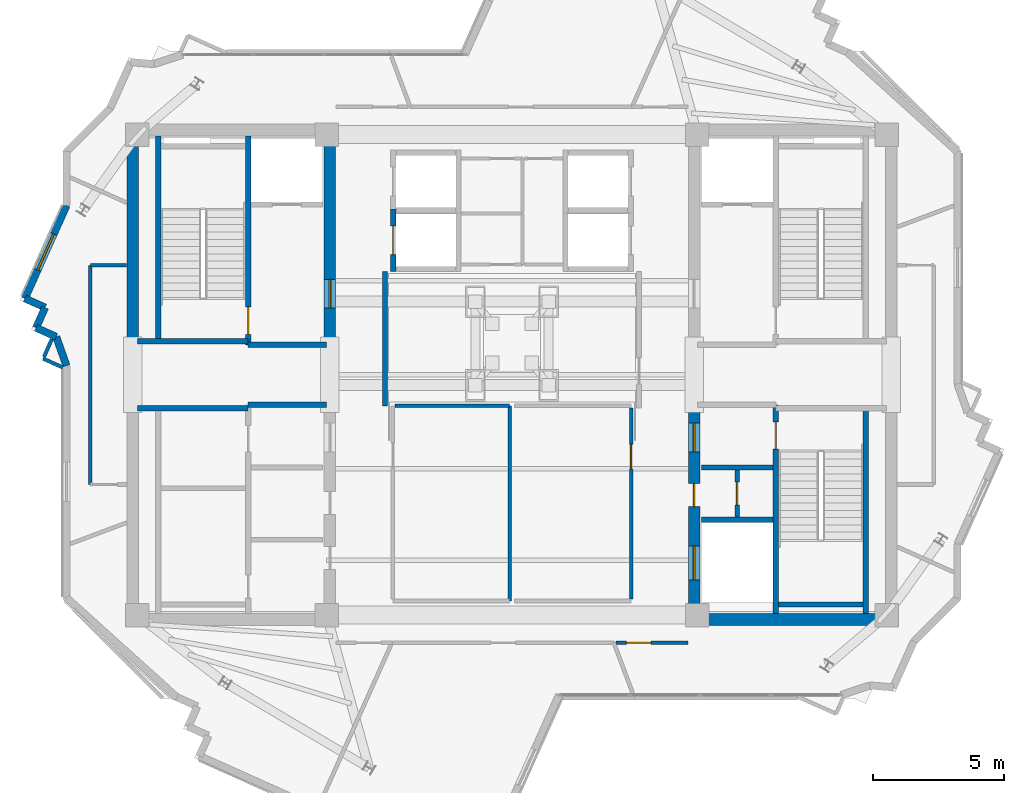
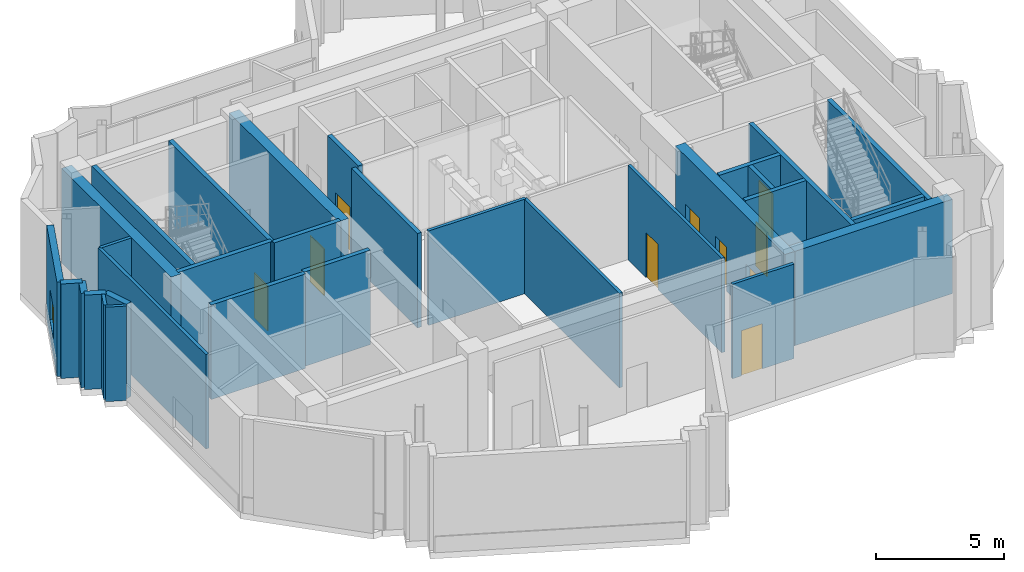
# One storey, part 6 of 11: 31 walls, 10 doors, 1 window, 11 openings.
"""IFC4 building model written with IfcOpenShell, lengths in metres."""

from ifc_helpers import new_model, si_unit, direction, frame, frame_2d, origin, place, context, subcontext, project, spatial, rectangle, extrude, source, transform, mapped, material, layer, layer_set, type_object, element, fill, save


model = new_model("IFC4")

# Units and contexts
model_context = context("Model", 3, precision=1e-05, world=origin(), true_north=direction((0.0, 1.0)))
body_context = subcontext(model_context, "Body", "Model", "MODEL_VIEW")
ifc_project = project(units=[si_unit("LENGTHUNIT", "METRE"), si_unit("AREAUNIT", "SQUARE_METRE"), si_unit("VOLUMEUNIT", "CUBIC_METRE"), si_unit("PLANEANGLEUNIT", "RADIAN"), si_unit("MASSUNIT", "GRAM", prefix="KILO")], contexts=[model_context])

# Site, building, storey
site_placement = place(None, origin())
site = spatial("IfcSite", under=ifc_project, at=site_placement, CompositionType="ELEMENT")
building_placement = place(site_placement, origin())
building = spatial("IfcBuilding", under=site, at=building_placement, Name="Zahravan Cultural Tower", CompositionType="ELEMENT")
storey_placement = place(building_placement, frame((0.0, 0.0, 361.050048828125)))
storey = spatial("IfcBuildingStorey", under=building, at=storey_placement, Name="L88", CompositionType="ELEMENT", Elevation=361.050048828125)

# Wall, opening, door
ifc_material_1 = material(Name="Concrete C50/60", Category="concrete")
ifc_layer_1 = layer(ifc_material_1, 0.449951171875)
ifc_layer_set_1 = layer_set([ifc_layer_1], Name="Concrete C50/60")
wall_type_1 = type_object("IfcWallType", Name="CW-SHEAR-450-C50", PredefinedType="SHEAR", material=ifc_layer_set_1)
wall_1_placement = place(storey_placement, frame((29.02490234375, 28.050048828125, 0.0), z_axis=(0.0, 0.0, 1.0), x_axis=(0.0, 1.0, 0.0)))
wall_1 = element("IfcWall", 1, at=wall_1_placement, inside=storey, type_object=wall_type_1, Name="L88 Core Shear Wall CW-W-EN-L88", PredefinedType="SHEAR", context=body_context, shape_type="SweptSolid", body=[
    extrude(rectangle(XDim=8.550048828125, YDim=0.449951171875, at=frame_2d((4.27490234375, 0.0))), origin(), (0.0, 0.0, 1.0), 4.5),
])
opening_1_placement = place(wall_1_placement, frame((1.5, 0.0, 0.0)))
opening_1 = element("IfcOpeningElement", 2, at=opening_1_placement, cuts=wall_1, Name="Opening D-L88-06", PredefinedType="OPENING", context=body_context, shape_type="SweptSolid", body=[
    extrude(rectangle(XDim=1.10009765625, YDim=2.199951171875, at=frame_2d((0.550048828125, 1.10009765625))), frame((0.0, 0.23486328125, 0.0), z_axis=(0.0, -1.0, 0.0), x_axis=(1.0, 0.0, 0.0)), (0.0, 0.0, 1.0), 0.469970703125),
])
ifc_material_2 = material(Name="Steel ASTM A572 Grade 50", Category="steel")
door_type_1 = type_object("IfcDoorType", Name="DR-LOBBY-1100", OperationType="NOTDEFINED", PredefinedType="DOOR", material=ifc_material_2)
shared_shape_1 = source(origin(), body_context, "Body", "SweptSolid", [
    extrude(rectangle(XDim=1.10009765625, YDim=2.199951171875, at=frame_2d((0.550048828125, 1.10009765625))), frame((0.0, 0.02490234375, 0.0), z_axis=(0.0, -1.0, 0.0), x_axis=(1.0, 0.0, 0.0)), (0.0, 0.0, 1.0), 0.050048828125),
])
door_1_placement = place(opening_1_placement, origin())
door_1 = element("IfcDoor", 3, at=door_1_placement, inside=storey, type_object=door_type_1, Name="L88 Door D-L88-06", OperationType="SINGLE_SWING_RIGHT", OverallHeight=2.199951171875, OverallWidth=1.10009765625, PredefinedType="DOOR", context=body_context, shape_type="MappedRepresentation", body=[
    mapped(shared_shape_1, transform((0.0, 0.0, 0.0), x_axis=(1.0, 0.0, 0.0), y_axis=(0.0, 1.0, 0.0), z_axis=(0.0, 0.0, 1.0), scale=1.0)),
])
fill(opening_1, door_1)

# Wall, openings, doors
wall_2_placement = place(storey_placement, frame((42.97509765625, 17.39990234375, 0.0), z_axis=(0.0, 0.0, 1.0), x_axis=(0.0, 1.0, 0.0)))
wall_2 = element("IfcWall", 4, at=wall_2_placement, inside=storey, type_object=wall_type_1, Name="L88 Core Shear Wall CW-E-WS-L88", PredefinedType="SHEAR", context=body_context, shape_type="SweptSolid", body=[
    extrude(rectangle(XDim=8.550048828125, YDim=0.449951171875, at=frame_2d((4.27490234375, 0.0))), origin(), (0.0, 0.0, 1.0), 4.5),
])
opening_2_placement = place(wall_2_placement, frame((6.64990234375, 0.0, 0.0)))
opening_2 = element("IfcOpeningElement", 5, at=opening_2_placement, cuts=wall_2, Name="Opening D-L88-09", PredefinedType="OPENING", context=body_context, shape_type="SweptSolid", body=[
    extrude(rectangle(XDim=1.10009765625, YDim=2.199951171875, at=frame_2d((0.550048828125, 1.10009765625))), frame((0.0, 0.23486328125, 0.0), z_axis=(0.0, -1.0, 0.0), x_axis=(1.0, 0.0, 0.0)), (0.0, 0.0, 1.0), 0.469970703125),
])
opening_3_placement = place(wall_2_placement, frame((1.75, 0.0, 0.0)))
opening_3 = element("IfcOpeningElement", 6, at=opening_3_placement, cuts=wall_2, Name="Opening LD-L88-03", PredefinedType="OPENING", context=body_context, shape_type="SweptSolid", body=[
    extrude(rectangle(XDim=1.300048828125, YDim=2.199951171875, at=frame_2d((0.64990234375, 1.10009765625))), frame((0.0, 0.23486328125, 0.0), z_axis=(0.0, -1.0, 0.0), x_axis=(1.0, 0.0, 0.0)), (0.0, 0.0, 1.0), 0.469970703125),
])
opening_4_placement = place(wall_2_placement, frame((4.550048828125, 0.0, 0.0)))
opening_4 = element("IfcOpeningElement", 7, at=opening_4_placement, cuts=wall_2, Name="Opening D-L88-12", PredefinedType="OPENING", context=body_context, shape_type="SweptSolid", body=[
    extrude(rectangle(XDim=0.8798828125, YDim=2.10009765625, at=frame_2d((0.43994140625, 1.050048828125))), frame((0.0, 0.23486328125, 0.0), z_axis=(0.0, -1.0, 0.0), x_axis=(1.0, 0.0, 0.0)), (0.0, 0.0, 1.0), 0.469970703125),
])
door_2_placement = place(opening_2_placement, origin())
door_2 = element("IfcDoor", 8, at=door_2_placement, inside=storey, type_object=door_type_1, Name="L88 Door D-L88-09", OperationType="SINGLE_SWING_LEFT", OverallHeight=2.199951171875, OverallWidth=1.10009765625, PredefinedType="DOOR", context=body_context, shape_type="MappedRepresentation", body=[
    mapped(shared_shape_1, transform((0.0, 0.0, 0.0), x_axis=(1.0, 0.0, 0.0), y_axis=(0.0, 1.0, 0.0), z_axis=(0.0, 0.0, 1.0), scale=1.0)),
])
fill(opening_2, door_2)
door_type_2 = type_object("IfcDoorType", Name="DR-LIFT-1300", OperationType="DOUBLE_DOOR_SLIDING", PredefinedType="DOOR", material=ifc_material_2)
shared_shape_2 = source(origin(), body_context, "Body", "SweptSolid", [
    extrude(rectangle(XDim=1.300048828125, YDim=2.199951171875, at=frame_2d((0.64990234375, 1.10009765625))), frame((0.0, 0.02490234375, 0.0), z_axis=(0.0, -1.0, 0.0), x_axis=(1.0, 0.0, 0.0)), (0.0, 0.0, 1.0), 0.050048828125),
])
door_3_placement = place(opening_3_placement, origin())
door_3 = element("IfcDoor", 9, at=door_3_placement, inside=storey, type_object=door_type_2, Name="L88 Door LD-L88-03", OperationType="DOUBLE_DOOR_SLIDING", OverallHeight=2.199951171875, OverallWidth=1.300048828125, PredefinedType="DOOR", context=body_context, shape_type="MappedRepresentation", body=[
    mapped(shared_shape_2, transform((0.0, 0.0, 0.0), x_axis=(1.0, 0.0, 0.0), y_axis=(0.0, 1.0, 0.0), z_axis=(0.0, 0.0, 1.0), scale=1.0)),
])
fill(opening_3, door_3)
door_type_3 = type_object("IfcDoorType", Name="DR-SVC-880", OperationType="NOTDEFINED", PredefinedType="DOOR", material=ifc_material_2)
shared_shape_3 = source(origin(), body_context, "Body", "SweptSolid", [
    extrude(rectangle(XDim=0.8798828125, YDim=2.10009765625, at=frame_2d((0.43994140625, 1.050048828125))), frame((0.0, 0.02490234375, 0.0), z_axis=(0.0, -1.0, 0.0), x_axis=(1.0, 0.0, 0.0)), (0.0, 0.0, 1.0), 0.050048828125),
])
door_4_placement = place(opening_4_placement, origin())
door_4 = element("IfcDoor", 10, at=door_4_placement, inside=storey, type_object=door_type_3, Name="L88 Door D-L88-12", OperationType="SINGLE_SWING_RIGHT", OverallHeight=2.10009765625, OverallWidth=0.8798828125, PredefinedType="DOOR", context=body_context, shape_type="MappedRepresentation", body=[
    mapped(shared_shape_3, transform((0.0, 0.0, 0.0), x_axis=(1.0, 0.0, 0.0), y_axis=(0.0, 1.0, 0.0), z_axis=(0.0, 0.0, 1.0), scale=1.0)),
])
fill(opening_4, door_4)

# Wall, opening, window
ifc_material_3 = material(Name="Precast concrete C40/50", Category="concrete")
ifc_layer_2 = layer(ifc_material_3, 0.280029296875)
ifc_layer_set_2 = layer_set([ifc_layer_2], Name="Precast concrete C40/50")
wall_type_2 = type_object("IfcWallType", Name="EW-TC-280", PredefinedType="SOLIDWALL", material=ifc_layer_set_2)
wall_3_placement = place(storey_placement, frame((17.344482421875, 29.9228515625, 0.0), z_axis=(0.0, 0.0, 1.0), x_axis=(0.408847516138, 0.912602711232, 0.0)))
wall_3 = element("IfcWall", 11, at=wall_3_placement, inside=storey, type_object=wall_type_2, Name="L88 Exterior Masonry Frame Wall 07", PredefinedType="SOLIDWALL", context=body_context, shape_type="SweptSolid", body=[
    extrude(rectangle(XDim=3.90234375, YDim=0.280029296875, at=frame_2d((1.951171875, 0.0))), origin(), (0.0, 0.0, 1.0), 4.5),
])
opening_5_placement = place(wall_3_placement, frame((1.200927734375, 0.0, 0.85009765625)))
opening_5 = element("IfcOpeningElement", 12, at=opening_5_placement, cuts=wall_3, Name="Opening WN-03", PredefinedType="OPENING", context=body_context, shape_type="SweptSolid", body=[
    extrude(rectangle(XDim=1.5, YDim=1.5, at=frame_2d((0.75, 0.75))), frame((0.0, 0.14990234375, 0.0), z_axis=(0.0, -1.0, 0.0), x_axis=(1.0, 0.0, 0.0)), (0.0, 0.0, 1.0), 0.300048828125),
])
ifc_material_4 = material(Name="Low-E solar-control double glazing", Category="glass")
window_type = type_object("IfcWindowType", Name="WN-REC-1500X1500", PartitioningType="SINGLE_PANEL", PredefinedType="WINDOW", material=ifc_material_4)
shared_shape_4 = source(origin(), body_context, "Body", "SweptSolid", [
    extrude(rectangle(XDim=1.5, YDim=1.5, at=frame_2d((0.75, 0.75))), frame((0.0, 0.030029296875, 0.0), z_axis=(0.0, -1.0, 0.0), x_axis=(1.0, 0.0, 0.0)), (0.0, 0.0, 1.0), 0.06005859375),
])
window_placement = place(opening_5_placement, origin())
window = element("IfcWindow", 13, at=window_placement, inside=storey, type_object=window_type, Name="L88 Recessed Solar Window 02", OverallHeight=1.5, OverallWidth=1.5, PartitioningType="SINGLE_PANEL", PredefinedType="WINDOW", context=body_context, shape_type="MappedRepresentation", body=[
    mapped(shared_shape_4, transform((0.0, 0.0, 0.0), x_axis=(1.0, 0.0, 0.0), y_axis=(0.0, 1.0, 0.0), z_axis=(0.0, 0.0, 1.0), scale=1.0)),
])
fill(opening_5, window)

# Wall, opening, door
ifc_material_5 = material(Name="Gypsum plasterboard partition")
ifc_layer_3 = layer(ifc_material_5, 0.179931640625)
ifc_layer_set_3 = layer_set([ifc_layer_3], Name="Gypsum plasterboard partition")
wall_type_3 = type_object("IfcWallType", Name="W-COMP-180", PredefinedType="PARTITIONING", material=ifc_layer_set_3)
wall_4_placement = place(storey_placement, frame((44.6201171875, 21.550048828125, 0.0), z_axis=(0.0, 0.0, 1.0), x_axis=(0.0, 1.0, 0.0)))
wall_4 = element("IfcWall", 14, at=wall_4_placement, inside=storey, type_object=wall_type_3, Name="L88 Interior Wall 028", PredefinedType="PARTITIONING", context=body_context, shape_type="SweptSolid", body=[
    extrude(rectangle(XDim=1.800048828125, YDim=0.179931640625, at=frame_2d((0.89990234375, 0.0))), origin(), (0.0, 0.0, 1.0), 4.5),
])
opening_6_placement = place(wall_4_placement, frame((0.4599609375, 0.0, 0.0)))
opening_6 = element("IfcOpeningElement", 15, at=opening_6_placement, cuts=wall_4, Name="Opening D-L88-13", PredefinedType="OPENING", context=body_context, shape_type="SweptSolid", body=[
    extrude(rectangle(XDim=0.8798828125, YDim=2.10009765625, at=frame_2d((0.43994140625, 1.050048828125))), frame((0.0, 0.099853515625, 0.0), z_axis=(0.0, -1.0, 0.0), x_axis=(1.0, 0.0, 0.0)), (0.0, 0.0, 1.0), 0.199951171875),
])
door_5_placement = place(opening_6_placement, origin())
door_5 = element("IfcDoor", 16, at=door_5_placement, inside=storey, type_object=door_type_3, Name="L88 Door D-L88-13", OperationType="SINGLE_SWING_LEFT", OverallHeight=2.10009765625, OverallWidth=0.8798828125, PredefinedType="DOOR", context=body_context, shape_type="MappedRepresentation", body=[
    mapped(shared_shape_3, transform((0.0, 0.0, 0.0), x_axis=(1.0, 0.0, 0.0), y_axis=(0.0, 1.0, 0.0), z_axis=(0.0, 0.0, 1.0), scale=1.0)),
])
fill(opening_6, door_5)

ifc_layer_4 = layer(ifc_material_5, 0.139892578125)
ifc_layer_set_4 = layer_set([ifc_layer_4], Name="Gypsum plasterboard partition")
wall_type_4 = type_object("IfcWallType", Name="W-PART-140", PredefinedType="PARTITIONING", material=ifc_layer_set_4)
wall_5_placement = place(storey_placement, frame((39.97705078125, 16.739990234375, 0.0), z_axis=(0.0, 0.0, 1.0), x_axis=(0.999999902865, 0.000440761593, 0.0)))
wall_5 = element("IfcWall", 17, at=wall_5_placement, inside=storey, type_object=wall_type_4, Name="L88 Interior Wall 070", PredefinedType="PARTITIONING", context=body_context, shape_type="SweptSolid", body=[
    extrude(rectangle(XDim=2.76953125, YDim=0.139892578125, at=frame_2d((1.384765625, 0.0))), origin(), (0.0, 0.0, 1.0), 4.5),
])
opening_7_placement = place(wall_5_placement, frame((0.400390625, 0.0, 0.0)))
opening_7 = element("IfcOpeningElement", 18, at=opening_7_placement, cuts=wall_5, Name="Opening D-L88-25", PredefinedType="OPENING", context=body_context, shape_type="SweptSolid", body=[
    extrude(rectangle(XDim=0.949951171875, YDim=2.14990234375, at=frame_2d((0.47509765625, 1.074951171875))), frame((0.0, 0.079833984375, 0.0), z_axis=(0.0, -1.0, 0.0), x_axis=(1.0, 0.0, 0.0)), (0.0, 0.0, 1.0), 0.159912109375),
])
ifc_material_6 = material(Name="Anodised bronze-aluminium mullion", Category="aluminium")
door_type_4 = type_object("IfcDoorType", Name="DR-ROOM-950", OperationType="NOTDEFINED", PredefinedType="DOOR", material=ifc_material_6)
shared_shape_5 = source(origin(), body_context, "Body", "SweptSolid", [
    extrude(rectangle(XDim=0.949951171875, YDim=2.14990234375, at=frame_2d((0.47509765625, 1.074951171875))), frame((0.0, 0.02490234375, 0.0), z_axis=(0.0, -1.0, 0.0), x_axis=(1.0, 0.0, 0.0)), (0.0, 0.0, 1.0), 0.050048828125),
])
door_6_placement = place(opening_7_placement, origin())
door_6 = element("IfcDoor", 19, at=door_6_placement, inside=storey, type_object=door_type_4, Name="L88 Door D-L88-25", OperationType="SINGLE_SWING_LEFT", OverallHeight=2.14990234375, OverallWidth=0.949951171875, PredefinedType="DOOR", context=body_context, shape_type="MappedRepresentation", body=[
    mapped(shared_shape_5, transform((0.0, 0.0, 0.0), x_axis=(1.0, 0.0, 0.0), y_axis=(0.0, 1.0, 0.0), z_axis=(0.0, 0.0, 1.0), scale=1.0)),
])
fill(opening_7, door_6)

wall_6_placement = place(storey_placement, frame((40.56005859375, 25.735107421875, 0.0), z_axis=(0.0, 0.0, 1.0), x_axis=(0.0, -1.0, 0.0)))
wall_6 = element("IfcWall", 20, at=wall_6_placement, inside=storey, type_object=wall_type_4, Name="L88 Interior Wall 080", PredefinedType="PARTITIONING", context=body_context, shape_type="SweptSolid", body=[
    extrude(rectangle(XDim=7.320068359375, YDim=0.139892578125, at=frame_2d((3.66015625, 0.0))), origin(), (0.0, 0.0, 1.0), 4.5),
])
opening_8_placement = place(wall_6_placement, frame((1.4013671875, 0.0, 0.0)))
opening_8 = element("IfcOpeningElement", 21, at=opening_8_placement, cuts=wall_6, Name="Opening D-L88-15", PredefinedType="OPENING", context=body_context, shape_type="SweptSolid", body=[
    extrude(rectangle(XDim=0.949951171875, YDim=2.14990234375, at=frame_2d((0.47509765625, 1.074951171875))), frame((0.0, 0.079833984375, 0.0), z_axis=(0.0, -1.0, 0.0), x_axis=(1.0, 0.0, 0.0)), (0.0, 0.0, 1.0), 0.159912109375),
])
door_7_placement = place(opening_8_placement, origin())
door_7 = element("IfcDoor", 22, at=door_7_placement, inside=storey, type_object=door_type_4, Name="L88 Door D-L88-15", OperationType="SINGLE_SWING_LEFT", OverallHeight=2.14990234375, OverallWidth=0.949951171875, PredefinedType="DOOR", context=body_context, shape_type="MappedRepresentation", body=[
    mapped(shared_shape_5, transform((0.0, 0.0, 0.0), x_axis=(1.0, 0.0, 0.0), y_axis=(0.0, 1.0, 0.0), z_axis=(0.0, 0.0, 1.0), scale=1.0)),
])
fill(opening_8, door_7)

ifc_material_7 = material(Name="Concrete C45/55", Category="concrete")
ifc_layer_5 = layer(ifc_material_7, 0.199951171875)
ifc_layer_set_5 = layer_set([ifc_layer_5], Name="Concrete C45/55")
wall_type_5 = type_object("IfcWallType", Name="W-SHAFT-200", PredefinedType="SOLIDWALL", material=ifc_layer_set_5)
wall_7_placement = place(storey_placement, frame((25.89990234375, 28.14990234375, 0.0), z_axis=(0.0, 0.0, 1.0), x_axis=(0.0, 1.0, 0.0)))
wall_7 = element("IfcWall", 23, at=wall_7_placement, inside=storey, type_object=wall_type_5, Name="L88 Interior Wall 006", PredefinedType="SOLIDWALL", context=body_context, shape_type="SweptSolid", body=[
    extrude(rectangle(XDim=8.0, YDim=0.199951171875, at=frame_2d((4.0, 0.0))), origin(), (0.0, 0.0, 1.0), 4.5),
])
opening_9_placement = place(wall_7_placement, frame((0.39990234375, 0.0, 0.0)))
opening_9 = element("IfcOpeningElement", 24, at=opening_9_placement, cuts=wall_7, Name="Opening D-L88-01", PredefinedType="OPENING", context=body_context, shape_type="SweptSolid", body=[
    extrude(rectangle(XDim=1.050048828125, YDim=2.14990234375, at=frame_2d((0.52490234375, 1.074951171875))), frame((0.0, 0.10986328125, 0.0), z_axis=(0.0, -1.0, 0.0), x_axis=(1.0, 0.0, 0.0)), (0.0, 0.0, 1.0), 0.219970703125),
])
door_type_5 = type_object("IfcDoorType", Name="DR-STAIR-1050", OperationType="NOTDEFINED", PredefinedType="DOOR", material=ifc_material_2)
shared_shape_6 = source(origin(), body_context, "Body", "SweptSolid", [
    extrude(rectangle(XDim=1.050048828125, YDim=2.14990234375, at=frame_2d((0.52490234375, 1.074951171875))), frame((0.0, 0.02490234375, 0.0), z_axis=(0.0, -1.0, 0.0), x_axis=(1.0, 0.0, 0.0)), (0.0, 0.0, 1.0), 0.050048828125),
])
door_8_placement = place(opening_9_placement, origin())
door_8 = element("IfcDoor", 25, at=door_8_placement, inside=storey, type_object=door_type_5, Name="L88 Door D-L88-01", OperationType="SINGLE_SWING_LEFT", OverallHeight=2.14990234375, OverallWidth=1.050048828125, PredefinedType="DOOR", context=body_context, shape_type="MappedRepresentation", body=[
    mapped(shared_shape_6, transform((0.0, 0.0, 0.0), x_axis=(1.0, 0.0, 0.0), y_axis=(0.0, 1.0, 0.0), z_axis=(0.0, 0.0, 1.0), scale=1.0)),
])
fill(opening_9, door_8)

wall_8_placement = place(storey_placement, frame((46.10009765625, 17.85009765625, 0.0), z_axis=(0.0, 0.0, 1.0), x_axis=(0.0, 1.0, 0.0)))
wall_8 = element("IfcWall", 26, at=wall_8_placement, inside=storey, type_object=wall_type_5, Name="L88 Interior Wall 007", PredefinedType="SOLIDWALL", context=body_context, shape_type="SweptSolid", body=[
    extrude(rectangle(XDim=8.0, YDim=0.199951171875, at=frame_2d((4.0, 0.0))), origin(), (0.0, 0.0, 1.0), 4.5),
])
opening_10_placement = place(wall_8_placement, frame((6.300048828125, 0.0, 0.0)))
opening_10 = element("IfcOpeningElement", 27, at=opening_10_placement, cuts=wall_8, Name="Opening D-L88-03", PredefinedType="OPENING", context=body_context, shape_type="SweptSolid", body=[
    extrude(rectangle(XDim=1.050048828125, YDim=2.14990234375, at=frame_2d((0.52490234375, 1.074951171875))), frame((0.0, 0.10986328125, 0.0), z_axis=(0.0, -1.0, 0.0), x_axis=(1.0, 0.0, 0.0)), (0.0, 0.0, 1.0), 0.219970703125),
])
door_9_placement = place(opening_10_placement, origin())
door_9 = element("IfcDoor", 28, at=door_9_placement, inside=storey, type_object=door_type_5, Name="L88 Door D-L88-03", OperationType="SINGLE_SWING_LEFT", OverallHeight=2.14990234375, OverallWidth=1.050048828125, PredefinedType="DOOR", context=body_context, shape_type="MappedRepresentation", body=[
    mapped(shared_shape_6, transform((0.0, 0.0, 0.0), x_axis=(1.0, 0.0, 0.0), y_axis=(0.0, 1.0, 0.0), z_axis=(0.0, 0.0, 1.0), scale=1.0)),
])
fill(opening_10, door_9)

wall_9_placement = place(storey_placement, frame((31.449951171875, 30.949951171875, 0.0), z_axis=(0.0, 0.0, 1.0), x_axis=(0.0, 1.0, 0.0)))
wall_9 = element("IfcWall", 29, at=wall_9_placement, inside=storey, type_object=wall_type_5, Name="L88 Interior Wall 033", PredefinedType="SOLIDWALL", context=body_context, shape_type="SweptSolid", body=[
    extrude(rectangle(XDim=2.400146484375, YDim=0.199951171875, at=frame_2d((1.2001953125, 0.0))), origin(), (0.0, 0.0, 1.0), 4.5),
])
opening_11_placement = place(wall_9_placement, frame((0.64990234375, 0.0, 0.0)))
opening_11 = element("IfcOpeningElement", 30, at=opening_11_placement, cuts=wall_9, Name="Opening LD-L88-05", PredefinedType="OPENING", context=body_context, shape_type="SweptSolid", body=[
    extrude(rectangle(XDim=1.10009765625, YDim=2.14990234375, at=frame_2d((0.550048828125, 1.074951171875))), frame((0.0, 0.10986328125, 0.0), z_axis=(0.0, -1.0, 0.0), x_axis=(1.0, 0.0, 0.0)), (0.0, 0.0, 1.0), 0.219970703125),
])
door_type_6 = type_object("IfcDoorType", Name="DR-LIFT-1100", OperationType="DOUBLE_DOOR_SLIDING", PredefinedType="DOOR", material=ifc_material_2)
shared_shape_7 = source(origin(), body_context, "Body", "SweptSolid", [
    extrude(rectangle(XDim=1.10009765625, YDim=2.14990234375, at=frame_2d((0.550048828125, 1.074951171875))), frame((0.0, 0.02490234375, 0.0), z_axis=(0.0, -1.0, 0.0), x_axis=(1.0, 0.0, 0.0)), (0.0, 0.0, 1.0), 0.050048828125),
])
door_10_placement = place(opening_11_placement, origin())
door_10 = element("IfcDoor", 31, at=door_10_placement, inside=storey, type_object=door_type_6, Name="L88 Door LD-L88-05", OperationType="DOUBLE_DOOR_SLIDING", OverallHeight=2.14990234375, OverallWidth=1.10009765625, PredefinedType="DOOR", context=body_context, shape_type="MappedRepresentation", body=[
    mapped(shared_shape_7, transform((0.0, 0.0, 0.0), x_axis=(1.0, 0.0, 0.0), y_axis=(0.0, 1.0, 0.0), z_axis=(0.0, 0.0, 1.0), scale=1.0)),
])
fill(opening_11, door_10)

# Walls
shared_shape_8 = source(origin(), body_context, "Body", "SweptSolid", [
    extrude(rectangle(XDim=8.550048828125, YDim=0.449951171875, at=frame_2d((4.27490234375, 0.0))), origin(), (0.0, 0.0, 1.0), 4.5),
])
wall_10_placement = place(storey_placement, frame((21.47509765625, 28.050048828125, 0.0), z_axis=(0.0, 0.0, 1.0), x_axis=(0.0, 1.0, 0.0)))
element("IfcWall", 32, at=wall_10_placement, inside=storey, type_object=wall_type_1, Name="L88 Core Shear Wall CW-W-WN-L88", PredefinedType="SHEAR", context=body_context, shape_type="MappedRepresentation", body=[
    mapped(shared_shape_8, transform((0.0, 0.0, 0.0), x_axis=(1.0, 0.0, 0.0), y_axis=(0.0, 1.0, 0.0), z_axis=(0.0, 0.0, 1.0), scale=1.0)),
])
shared_shape_9 = source(origin(), body_context, "Body", "SweptSolid", [
    extrude(rectangle(XDim=7.10009765625, YDim=0.449951171875, at=frame_2d((3.550048828125, 0.0))), origin(), (0.0, 0.0, 1.0), 4.5),
])
wall_11_placement = place(storey_placement, frame((43.199951171875, 17.625, 0.0), z_axis=(0.0, 0.0, 1.0), x_axis=(1.0, 0.0, 0.0)))
element("IfcWall", 33, at=wall_11_placement, inside=storey, type_object=wall_type_1, Name="L88 Core Shear Wall CW-E-S-L88", PredefinedType="SHEAR", context=body_context, shape_type="MappedRepresentation", body=[
    mapped(shared_shape_9, transform((0.0, 0.0, 0.0), x_axis=(1.0, 0.0, 0.0), y_axis=(0.0, 1.0, 0.0), z_axis=(0.0, 0.0, 1.0), scale=1.0)),
])
shared_shape_10 = source(origin(), body_context, "Body", "SweptSolid", [
    extrude(rectangle(XDim=1.173828125, YDim=0.280029296875, at=frame_2d((0.5869140625, 0.0))), origin(), (0.0, 0.0, 1.0), 4.5),
])
wall_12_placement = place(storey_placement, frame((18.93994140625, 27.345458984375, 0.0), z_axis=(0.0, 0.0, 1.0), x_axis=(-0.333581493928, 0.942721266817, 0.0)))
element("IfcWall", 34, at=wall_12_placement, inside=storey, type_object=wall_type_2, Name="L88 Exterior Masonry Frame Wall 03", PredefinedType="SOLIDWALL", context=body_context, shape_type="MappedRepresentation", body=[
    mapped(shared_shape_10, transform((0.0, 0.0, 0.0), x_axis=(1.0, 0.0, 0.0), y_axis=(0.0, 1.0, 0.0), z_axis=(0.0, 0.0, 1.0), scale=1.0)),
])
shared_shape_11 = source(origin(), body_context, "Body", "SweptSolid", [
    extrude(rectangle(XDim=0.85009765625, YDim=0.280029296875, at=frame_2d((0.425048828125, 0.0))), origin(), (0.0, 0.0, 1.0), 4.5),
])
wall_13_placement = place(storey_placement, frame((18.54833984375, 28.4521484375, 0.0), z_axis=(0.0, 0.0, 1.0), x_axis=(-0.912527808644, 0.409014667771, 0.0)))
element("IfcWall", 35, at=wall_13_placement, inside=storey, type_object=wall_type_2, Name="L88 Exterior Masonry Frame Wall 04", PredefinedType="SOLIDWALL", context=body_context, shape_type="MappedRepresentation", body=[
    mapped(shared_shape_11, transform((0.0, 0.0, 0.0), x_axis=(1.0, 0.0, 0.0), y_axis=(0.0, 1.0, 0.0), z_axis=(0.0, 0.0, 1.0), scale=1.0)),
])
shared_shape_12 = source(origin(), body_context, "Body", "SweptSolid", [
    extrude(rectangle(XDim=0.849853515625, YDim=0.280029296875, at=frame_2d((0.4248046875, 0.0))), origin(), (0.0, 0.0, 1.0), 4.5),
])
for number, where, z_axis, x_axis, name in (
    (36, (17.772705078125, 28.7998046875, 0.0), (0.0, 0.0, 1.0), (0.408775447691, 0.912634994598, 0.0), "L88 Exterior Masonry Frame Wall 05"),
    (37, (18.1201171875, 29.575439453125, 0.0), (0.0, 0.0, 1.0), (-0.912634994598, 0.408775447691, 0.0), "L88 Exterior Masonry Frame Wall 06"),
):
    element("IfcWall", number, at=place(storey_placement, frame(where, z_axis=z_axis, x_axis=x_axis)), inside=storey, type_object=wall_type_2, Name=name, PredefinedType="SOLIDWALL", context=body_context, shape_type="MappedRepresentation", body=[
        mapped(shared_shape_12, transform((0.0, 0.0, 0.0), x_axis=(1.0, 0.0, 0.0), y_axis=(0.0, 1.0, 0.0), z_axis=(0.0, 0.0, 1.0), scale=1.0)),
    ])
shared_shape_13 = source(origin(), body_context, "Body", "SweptSolid", [
    extrude(rectangle(XDim=7.869873046875, YDim=0.199951171875, at=frame_2d((3.93505859375, 0.0))), origin(), (0.0, 0.0, 1.0), 4.5),
])
for number, where, z_axis, x_axis, name in (
    (38, (22.449951171875, 28.280029296875, 0.0), (0.0, 0.0, 1.0), (0.0, 1.0, 0.0), "L88 Interior Wall 002"),
    (39, (49.550048828125, 17.85009765625, 0.0), (0.0, 0.0, 1.0), (0.0, 1.0, 0.0), "L88 Interior Wall 003"),
):
    element("IfcWall", number, at=place(storey_placement, frame(where, z_axis=z_axis, x_axis=x_axis)), inside=storey, type_object=wall_type_5, Name=name, PredefinedType="SOLIDWALL", context=body_context, shape_type="MappedRepresentation", body=[
        mapped(shared_shape_13, transform((0.0, 0.0, 0.0), x_axis=(1.0, 0.0, 0.0), y_axis=(0.0, 1.0, 0.0), z_axis=(0.0, 0.0, 1.0), scale=1.0)),
    ])
shared_shape_14 = source(origin(), body_context, "Body", "SweptSolid", [
    extrude(rectangle(XDim=4.25, YDim=0.199951171875, at=frame_2d((2.125, 0.0))), origin(), (0.0, 0.0, 1.0), 4.5),
])
for number, where, z_axis, x_axis, name in (
    (40, (21.64990234375, 25.715087890625, 0.0), (0.0, 0.0, 1.0), (1.0, 0.0, 0.0), "L88 Interior Wall 009"),
    (41, (21.64990234375, 28.284912109375, 0.0), (0.0, 0.0, 1.0), (1.0, 0.0, 0.0), "L88 Interior Wall 011"),
):
    element("IfcWall", number, at=place(storey_placement, frame(where, z_axis=z_axis, x_axis=x_axis)), inside=storey, type_object=wall_type_5, Name=name, PredefinedType="SOLIDWALL", context=body_context, shape_type="MappedRepresentation", body=[
        mapped(shared_shape_14, transform((0.0, 0.0, 0.0), x_axis=(1.0, 0.0, 0.0), y_axis=(0.0, 1.0, 0.0), z_axis=(0.0, 0.0, 1.0), scale=1.0)),
    ])
shared_shape_15 = source(origin(), body_context, "Body", "SweptSolid", [
    extrude(rectangle(XDim=3.0, YDim=0.199951171875, at=frame_2d((1.5, 0.0))), origin(), (0.0, 0.0, 1.0), 4.5),
])
for number, where, z_axis, x_axis, name in (
    (42, (25.89990234375, 25.85009765625, 0.0), (0.0, 0.0, 1.0), (1.0, 0.0, 0.0), "L88 Interior Wall 010"),
    (43, (25.89990234375, 28.14990234375, 0.0), (0.0, 0.0, 1.0), (1.0, 0.0, 0.0), "L88 Interior Wall 012"),
):
    element("IfcWall", number, at=place(storey_placement, frame(where, z_axis=z_axis, x_axis=x_axis)), inside=storey, type_object=wall_type_5, Name=name, PredefinedType="SOLIDWALL", context=body_context, shape_type="MappedRepresentation", body=[
        mapped(shared_shape_15, transform((0.0, 0.0, 0.0), x_axis=(1.0, 0.0, 0.0), y_axis=(0.0, 1.0, 0.0), z_axis=(0.0, 0.0, 1.0), scale=1.0)),
    ])
shared_shape_16 = source(origin(), body_context, "Body", "SweptSolid", [
    extrude(rectangle(XDim=3.25, YDim=0.199951171875, at=frame_2d((1.625, 0.0))), origin(), (0.0, 0.0, 1.0), 4.5),
])
wall_14_placement = place(storey_placement, frame((46.199951171875, 18.199951171875, 0.0), z_axis=(0.0, 0.0, 1.0), x_axis=(1.0, 0.0, 0.0)))
element("IfcWall", 44, at=wall_14_placement, inside=storey, type_object=wall_type_5, Name="L88 Interior Wall 020", PredefinedType="SOLIDWALL", context=body_context, shape_type="MappedRepresentation", body=[
    mapped(shared_shape_16, transform((0.0, 0.0, 0.0), x_axis=(1.0, 0.0, 0.0), y_axis=(0.0, 1.0, 0.0), z_axis=(0.0, 0.0, 1.0), scale=1.0)),
])
shared_shape_17 = source(origin(), body_context, "Body", "SweptSolid", [
    extrude(rectangle(XDim=2.75, YDim=0.199951171875, at=frame_2d((1.375, 0.0))), origin(), (0.0, 0.0, 1.0), 4.5),
])
for number, where, z_axis, x_axis, name in (
    (45, (43.25, 23.449951171875, 0.0), (0.0, 0.0, 1.0), (1.0, 0.0, 0.0), "L88 Interior Wall 025"),
    (46, (43.25, 21.449951171875, 0.0), (0.0, 0.0, 1.0), (1.0, 0.0, 0.0), "L88 Interior Wall 026"),
):
    element("IfcWall", number, at=place(storey_placement, frame(where, z_axis=z_axis, x_axis=x_axis)), inside=storey, type_object=wall_type_5, Name=name, PredefinedType="SOLIDWALL", context=body_context, shape_type="MappedRepresentation", body=[
        mapped(shared_shape_17, transform((0.0, 0.0, 0.0), x_axis=(1.0, 0.0, 0.0), y_axis=(0.0, 1.0, 0.0), z_axis=(0.0, 0.0, 1.0), scale=1.0)),
    ])
shared_shape_18 = source(origin(), body_context, "Body", "SweptSolid", [
    extrude(rectangle(XDim=1.38916015625, YDim=0.139892578125, at=frame_2d((0.694580078125, 0.0))), origin(), (0.0, 0.0, 1.0), 4.5),
])
wall_15_placement = place(storey_placement, frame((21.2451171875, 31.199951171875, 0.0), z_axis=(0.0, 0.0, 1.0), x_axis=(-1.0, 0.0, 0.0)))
element("IfcWall", 47, at=wall_15_placement, inside=storey, type_object=wall_type_4, Name="L88 Interior Wall 051", PredefinedType="PARTITIONING", context=body_context, shape_type="MappedRepresentation", body=[
    mapped(shared_shape_18, transform((0.0, 0.0, 0.0), x_axis=(1.0, 0.0, 0.0), y_axis=(0.0, 1.0, 0.0), z_axis=(0.0, 0.0, 1.0), scale=1.0)),
])
shared_shape_19 = source(origin(), body_context, "Body", "SweptSolid", [
    extrude(rectangle(XDim=8.389404296875, YDim=0.139892578125, at=frame_2d((4.19482421875, 0.0))), origin(), (0.0, 0.0, 1.0), 4.5),
])
wall_16_placement = place(storey_placement, frame((19.85009765625, 31.194091796875, 0.0), z_axis=(0.0, 0.0, 1.0), x_axis=(0.000145505339, -0.999999989414, 0.0)))
element("IfcWall", 48, at=wall_16_placement, inside=storey, type_object=wall_type_4, Name="L88 Interior Wall 052", PredefinedType="PARTITIONING", context=body_context, shape_type="MappedRepresentation", body=[
    mapped(shared_shape_19, transform((0.0, 0.0, 0.0), x_axis=(1.0, 0.0, 0.0), y_axis=(0.0, 1.0, 0.0), z_axis=(0.0, 0.0, 1.0), scale=1.0)),
])
shared_shape_20 = source(origin(), body_context, "Body", "SweptSolid", [
    extrude(rectangle(XDim=0.824951171875, YDim=0.139892578125, at=frame_2d((0.41259765625, 0.0))), origin(), (0.0, 0.0, 1.0), 4.5),
])
wall_17_placement = place(storey_placement, frame((18.794921875, 27.27880859375, 0.0), z_axis=(0.0, 0.0, 1.0), x_axis=(-0.912513134147, 0.409047405576, 0.0)))
element("IfcWall", 49, at=wall_17_placement, inside=storey, type_object=wall_type_4, Name="L88 Interior Wall 055", PredefinedType="PARTITIONING", context=body_context, shape_type="MappedRepresentation", body=[
    mapped(shared_shape_20, transform((0.0, 0.0, 0.0), x_axis=(1.0, 0.0, 0.0), y_axis=(0.0, 1.0, 0.0), z_axis=(0.0, 0.0, 1.0), scale=1.0)),
])
shared_shape_21 = source(origin(), body_context, "Body", "SweptSolid", [
    extrude(rectangle(XDim=0.7490234375, YDim=0.139892578125, at=frame_2d((0.37451171875, 0.0))), origin(), (0.0, 0.0, 1.0), 4.5),
])
wall_18_placement = place(storey_placement, frame((18.072998046875, 27.6845703125, 0.0), z_axis=(0.0, 0.0, 1.0), x_axis=(0.408737677389, 0.912651911236, 0.0)))
element("IfcWall", 50, at=wall_18_placement, inside=storey, type_object=wall_type_4, Name="L88 Interior Wall 056", PredefinedType="PARTITIONING", context=body_context, shape_type="MappedRepresentation", body=[
    mapped(shared_shape_21, transform((0.0, 0.0, 0.0), x_axis=(1.0, 0.0, 0.0), y_axis=(0.0, 1.0, 0.0), z_axis=(0.0, 0.0, 1.0), scale=1.0)),
])
shared_shape_22 = source(origin(), body_context, "Body", "SweptSolid", [
    extrude(rectangle(XDim=4.39501953125, YDim=0.139892578125, at=frame_2d((2.197509765625, 0.0))), origin(), (0.0, 0.0, 1.0), 4.5),
])
wall_19_placement = place(storey_placement, frame((31.514892578125, 25.81005859375, 0.0), z_axis=(0.0, 0.0, 1.0), x_axis=(1.0, 0.0, 0.0)))
element("IfcWall", 51, at=wall_19_placement, inside=storey, type_object=wall_type_4, Name="L88 Interior Wall 076", PredefinedType="PARTITIONING", context=body_context, shape_type="MappedRepresentation", body=[
    mapped(shared_shape_22, transform((0.0, 0.0, 0.0), x_axis=(1.0, 0.0, 0.0), y_axis=(0.0, 1.0, 0.0), z_axis=(0.0, 0.0, 1.0), scale=1.0)),
])
shared_shape_23 = source(origin(), body_context, "Body", "SweptSolid", [
    extrude(rectangle(XDim=7.469970703125, YDim=0.139892578125, at=frame_2d((3.73486328125, 0.0))), origin(), (0.0, 0.0, 1.0), 4.5),
])
wall_20_placement = place(storey_placement, frame((35.909912109375, 25.81005859375, 0.0), z_axis=(0.0, 0.0, 1.0), x_axis=(0.0, -1.0, 0.0)))
element("IfcWall", 52, at=wall_20_placement, inside=storey, type_object=wall_type_4, Name="L88 Interior Wall 077", PredefinedType="PARTITIONING", context=body_context, shape_type="MappedRepresentation", body=[
    mapped(shared_shape_23, transform((0.0, 0.0, 0.0), x_axis=(1.0, 0.0, 0.0), y_axis=(0.0, 1.0, 0.0), z_axis=(0.0, 0.0, 1.0), scale=1.0)),
])
shared_shape_24 = source(origin(), body_context, "Body", "SweptSolid", [
    extrude(rectangle(XDim=5.139892578125, YDim=0.179931640625, at=frame_2d((2.56982421875, 0.0))), origin(), (0.0, 0.0, 1.0), 4.5),
])
wall_21_placement = place(storey_placement, frame((31.139892578125, 25.81005859375, 0.0), z_axis=(0.0, 0.0, 1.0), x_axis=(0.0, 1.0, 0.0)))
element("IfcWall", 53, at=wall_21_placement, inside=storey, type_object=wall_type_3, Name="L88 Interior Wall 081", PredefinedType="PARTITIONING", context=body_context, shape_type="MappedRepresentation", body=[
    mapped(shared_shape_24, transform((0.0, 0.0, 0.0), x_axis=(1.0, 0.0, 0.0), y_axis=(0.0, 1.0, 0.0), z_axis=(0.0, 0.0, 1.0), scale=1.0)),
])

save(model, "model.ifc")
